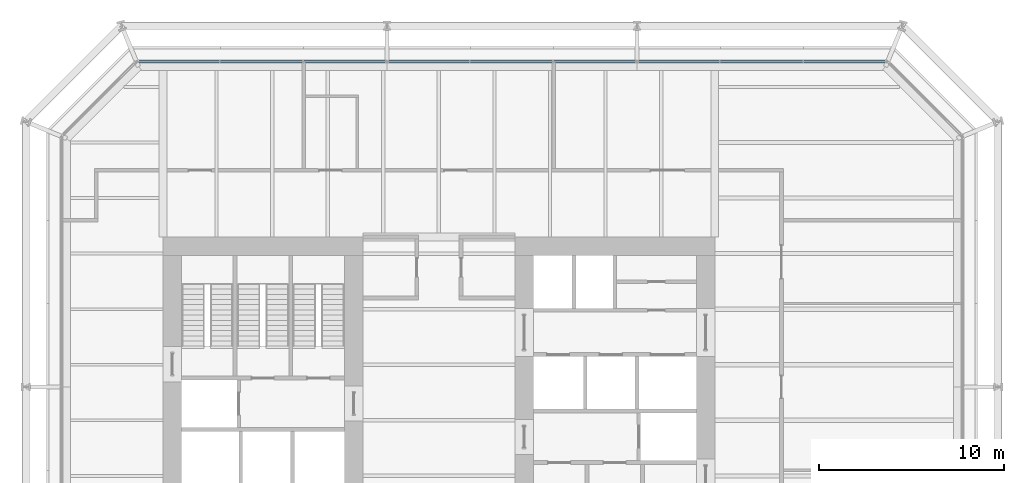
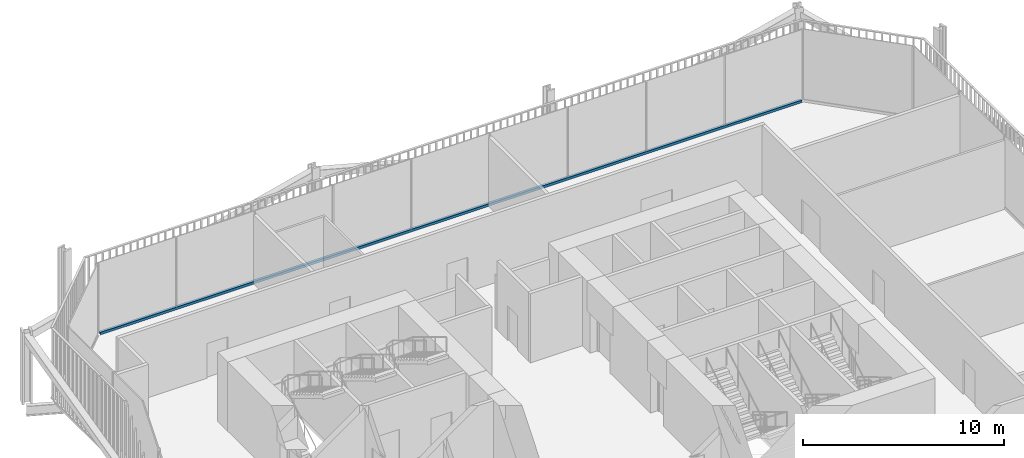
# One storey, part 13 of 21: 1 member, 1 element without a shape of its own.
"""IFC4 building model written with IfcOpenShell, lengths in metres."""

from ifc_helpers import new_model, si_unit, direction, frame, origin, origin_2d, place, context, subcontext, project, spatial, rectangle, extrude, material, layer, layer_set, material_profile, profile_set, type_object, element, aggregate, save


model = new_model("IFC4")

# Units and contexts
model_context = context("Model", 3, precision=1e-05, world=origin(), true_north=direction((0.0, 1.0)))
body_context = subcontext(model_context, "Body", "Model", "MODEL_VIEW")
ifc_project = project(units=[si_unit("LENGTHUNIT", "METRE"), si_unit("AREAUNIT", "SQUARE_METRE"), si_unit("VOLUMEUNIT", "CUBIC_METRE"), si_unit("PLANEANGLEUNIT", "RADIAN"), si_unit("MASSUNIT", "GRAM", prefix="KILO")], contexts=[model_context])

# Site, building, storey
site_placement = place(None, origin())
site = spatial("IfcSite", under=ifc_project, at=site_placement, CompositionType="ELEMENT")
building_placement = place(site_placement, origin())
building = spatial("IfcBuilding", under=site, at=building_placement, Name="Millrace Tower", CompositionType="ELEMENT")
storey_placement = place(building_placement, frame((0.0, 0.0, 90.800048828125)))
storey = spatial("IfcBuildingStorey", under=building, at=storey_placement, Name="L20", CompositionType="ELEMENT", Elevation=90.800048828125)

# Curtain wall, member
ifc_material_1 = material(Name="Aluminium and glass", Category="aluminium")
ifc_layer = layer(ifc_material_1, 0.14990234375)
ifc_layer_set = layer_set([ifc_layer], Name="Aluminium and glass")
curtain_wall_type = type_object("IfcCurtainWallType", Name="CW-3 telecom floor curtain wall", PredefinedType="NOTDEFINED", material=ifc_layer_set)
curtain_wall_placement = place(storey_placement, origin())
curtain_wall = element("IfcCurtainWall", 1, at=curtain_wall_placement, inside=storey, type_object=curtain_wall_type, Name="Curtain wall B-F06 L20", PredefinedType="NOTDEFINED")
ifc_material_2 = material(Name="Aluminium", Category="aluminium")
ifc_material_profile = material_profile(ifc_material_2, rectangle(XDim=0.14990234375, YDim=0.14990234375, at=origin_2d()))
ifc_profile_set = profile_set([ifc_material_profile], Name="Aluminium")
member_type = type_object("IfcMemberType", Name="CW-3 telecom floor curtain wall transom", PredefinedType="USERDEFINED", material=ifc_profile_set)
member_placement = place(storey_placement, frame((24.10009765625, 19.375, 0.074951171875), z_axis=(-1.0, 0.0, 0.0), x_axis=(0.0, -1.0, 0.0)))
member = element("IfcMember", 2, at=member_placement, type_object=member_type, Name="CW3 transom B-F06.1", ObjectType="TRANSOM", PredefinedType="USERDEFINED", context=body_context, shape_type="SweptSolid", body=[
    extrude(rectangle(XDim=0.14990234375, YDim=0.14990234375, at=origin_2d()), origin(), (0.0, 0.0, 1.0), 40.300048828125),
])
aggregate(curtain_wall, [member])

save(model, "model.ifc")
